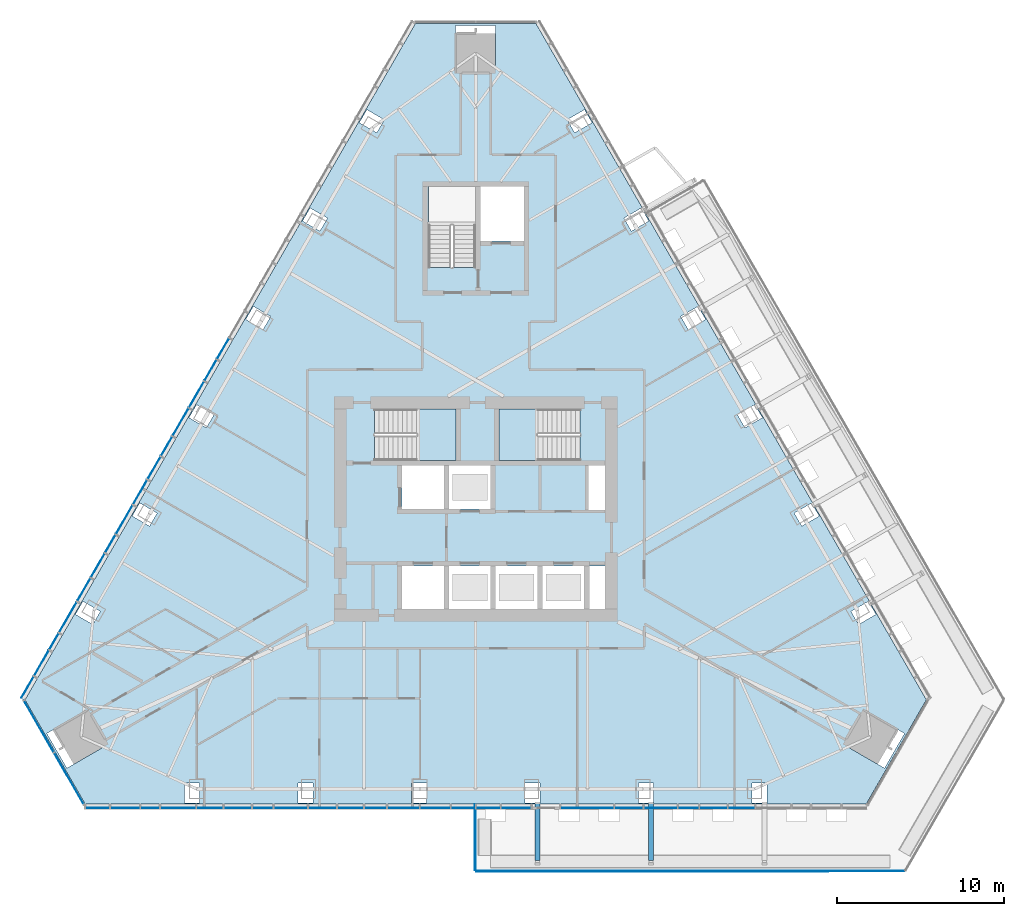
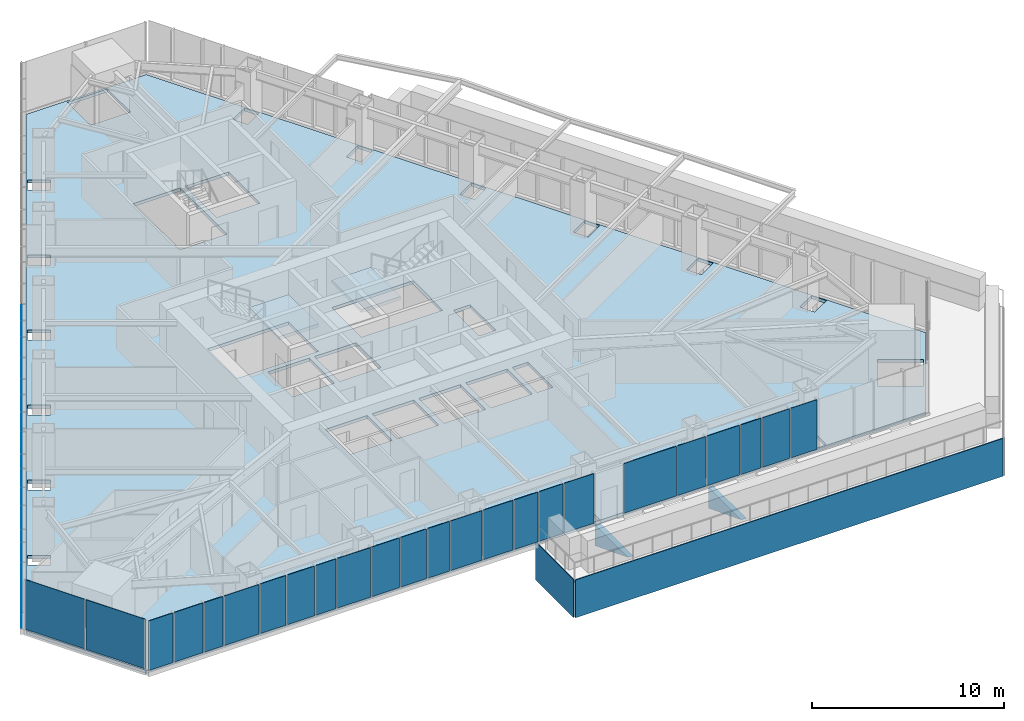
# One storey, part 7 of 17: 43 plates, 3 slabs, 5 elements without a shape of their own.
"""IFC4 building model written with IfcOpenShell, lengths in metres."""

from ifc_helpers import new_model, si_unit, direction, frame, origin, place, context, subcontext, project, spatial, polyline, outline, extrude, material, layer, layer_set, type_object, element, aggregate, save


model = new_model("IFC4")

# Units and contexts
model_context = context("Model", 3, precision=1e-05, world=origin(), true_north=direction((0.0, 1.0)))
body_context = subcontext(model_context, "Body", "Model", "MODEL_VIEW")
ifc_project = project(units=[si_unit("LENGTHUNIT", "METRE"), si_unit("AREAUNIT", "SQUARE_METRE"), si_unit("VOLUMEUNIT", "CUBIC_METRE"), si_unit("PLANEANGLEUNIT", "RADIAN"), si_unit("MASSUNIT", "GRAM", prefix="KILO")], contexts=[model_context])

# Site, building, storey
site_placement = place(None, origin())
site = spatial("IfcSite", under=ifc_project, at=site_placement, CompositionType="ELEMENT")
building_placement = place(site_placement, origin())
building = spatial("IfcBuilding", under=site, at=building_placement, Name="Firuza Gate Tower and Library", CompositionType="ELEMENT")
storey_placement = place(building_placement, frame((0.0, 0.0, 263.60009765625)))
storey = spatial("IfcBuildingStorey", under=building, at=storey_placement, Name="L62", CompositionType="ELEMENT", Elevation=263.60009765625)

# Slab
ifc_material_1 = material(Name="Concrete C40/50", Category="concrete")
ifc_layer_1 = layer(ifc_material_1, 0.199951171875)
ifc_layer_set_1 = layer_set([ifc_layer_1], Name="Composite floor slab 200 C40/50")
slab_type_1 = type_object("IfcSlabType", Name="Composite floor slab 200 C40/50", PredefinedType="FLOOR", material=ifc_layer_set_1)
slab_1_placement = place(storey_placement, frame((0.0, 0.0, -0.2001953125)))
element("IfcSlab", 1, at=slab_1_placement, inside=storey, type_object=slab_type_1, Name="Floor slab L62", PredefinedType="FLOOR", context=body_context, shape_type="SweptSolid", body=[
    extrude(outline(polyline([(48.0107421875, 63.57470703125), (51.610595703125, 57.33935546875), (98.389404296875, 57.33935546875), (101.9892578125, 63.57470703125), (78.60009765625, 104.086181640625), (71.39990234375, 104.086181640625), (48.0107421875, 63.57470703125)]), holes=[polyline([(57.550048828125, 57.402099609375), (57.550048828125, 58.60205078125), (58.449951171875, 58.60205078125), (58.449951171875, 57.402099609375), (57.550048828125, 57.402099609375)]), polyline([(64.35009765625, 57.402099609375), (64.35009765625, 58.60205078125), (65.25, 58.60205078125), (65.25, 57.402099609375), (64.35009765625, 57.402099609375)]), polyline([(71.14990234375, 57.402099609375), (71.14990234375, 58.60205078125), (72.050048828125, 58.60205078125), (72.050048828125, 57.402099609375), (71.14990234375, 57.402099609375)]), polyline([(49.319580078125, 61.55908203125), (51.398193359375, 62.759033203125), (52.59814453125, 60.6806640625), (50.51953125, 59.480712890625), (49.319580078125, 61.55908203125)]), polyline([(51.48486328125, 69.46630859375), (52.52392578125, 68.8662109375), (52.073974609375, 68.086669921875), (51.034912109375, 68.686767578125), (51.48486328125, 69.46630859375)]), polyline([(73.10009765625, 69.0), (70.60009765625, 69.0), (70.60009765625, 71.60009765625), (73.10009765625, 71.60009765625), (73.10009765625, 69.0)]), polyline([(75.89990234375, 69.0), (73.39990234375, 69.0), (73.39990234375, 71.60009765625), (75.89990234375, 71.60009765625), (75.89990234375, 69.0)]), polyline([(54.884765625, 75.355224609375), (55.924072265625, 74.755126953125), (55.47412109375, 73.975830078125), (54.434814453125, 74.57568359375), (54.884765625, 75.355224609375)]), polyline([(73.10009765625, 75.0), (70.60009765625, 75.0), (70.60009765625, 77.60009765625), (73.10009765625, 77.60009765625), (73.10009765625, 75.0)]), polyline([(75.89990234375, 75.0), (73.39990234375, 75.0), (73.39990234375, 77.60009765625), (75.89990234375, 77.60009765625), (75.89990234375, 75.0)]), polyline([(68.9404296875, 77.89990234375), (68.9404296875, 80.97998046875), (73.81005859375, 80.97998046875), (73.81005859375, 77.89990234375), (68.9404296875, 77.89990234375)]), polyline([(58.284912109375, 81.244140625), (59.323974609375, 80.64404296875), (58.8740234375, 79.86474609375), (57.834716796875, 80.46484375), (58.284912109375, 81.244140625)]), polyline([(61.684814453125, 87.133056640625), (62.72412109375, 86.533203125), (62.27392578125, 85.753662109375), (61.23486328125, 86.353759765625), (61.684814453125, 87.133056640625)]), polyline([(72.159912109375, 89.470458984375), (72.159912109375, 94.300048828125), (75.0, 94.300048828125), (75.0, 89.470458984375), (72.159912109375, 89.470458984375)]), polyline([(65.084716796875, 93.022216796875), (66.1240234375, 92.422119140625), (65.674072265625, 91.642578125), (64.634765625, 92.24267578125), (65.084716796875, 93.022216796875)]), polyline([(68.48486328125, 98.9111328125), (69.52392578125, 98.31103515625), (69.073974609375, 97.53173828125), (68.034912109375, 98.131591796875), (68.48486328125, 98.9111328125)]), polyline([(76.199951171875, 103.96044921875), (76.199951171875, 101.560302734375), (73.800048828125, 101.560302734375), (73.800048828125, 103.96044921875), (76.199951171875, 103.96044921875)]), polyline([(77.949951171875, 57.402099609375), (77.949951171875, 58.60205078125), (78.85009765625, 58.60205078125), (78.85009765625, 57.402099609375), (77.949951171875, 57.402099609375)]), polyline([(84.75, 57.402099609375), (84.75, 58.60205078125), (85.64990234375, 58.60205078125), (85.64990234375, 57.402099609375), (84.75, 57.402099609375)]), polyline([(91.550048828125, 57.402099609375), (91.550048828125, 58.60205078125), (92.449951171875, 58.60205078125), (92.449951171875, 57.402099609375), (91.550048828125, 57.402099609375)]), polyline([(99.48046875, 59.480712890625), (97.40185546875, 60.6806640625), (98.601806640625, 62.759033203125), (100.680419921875, 61.55908203125), (99.48046875, 59.480712890625)]), polyline([(98.965087890625, 68.686767578125), (97.926025390625, 68.086669921875), (97.47607421875, 68.8662109375), (98.51513671875, 69.46630859375), (98.965087890625, 68.686767578125)]), polyline([(78.699951171875, 69.0), (76.199951171875, 69.0), (76.199951171875, 71.60009765625), (78.699951171875, 71.60009765625), (78.699951171875, 69.0)]), polyline([(81.5, 69.0), (79.0, 69.0), (79.0, 71.60009765625), (81.5, 71.60009765625), (81.5, 69.0)]), polyline([(82.75, 69.0), (81.800048828125, 69.0), (81.800048828125, 71.60009765625), (82.75, 71.60009765625), (82.75, 69.0)]), polyline([(95.565185546875, 74.57568359375), (94.52587890625, 73.975830078125), (94.075927734375, 74.755126953125), (95.115234375, 75.355224609375), (95.565185546875, 74.57568359375)]), polyline([(82.75, 74.949951171875), (81.75, 74.949951171875), (81.75, 77.60009765625), (82.75, 77.60009765625), (82.75, 74.949951171875)]), polyline([(81.259521484375, 80.97998046875), (81.259521484375, 77.89990234375), (76.389892578125, 77.89990234375), (76.389892578125, 80.97998046875), (81.259521484375, 80.97998046875)]), polyline([(92.165283203125, 80.46484375), (91.1259765625, 79.86474609375), (90.676025390625, 80.64404296875), (91.715087890625, 81.244140625), (92.165283203125, 80.46484375)]), polyline([(88.76513671875, 86.353759765625), (87.72607421875, 85.753662109375), (87.27587890625, 86.533203125), (88.315185546875, 87.133056640625), (88.76513671875, 86.353759765625)]), polyline([(85.365234375, 92.24267578125), (84.325927734375, 91.642578125), (83.8759765625, 92.422119140625), (84.915283203125, 93.022216796875), (85.365234375, 92.24267578125)]), polyline([(75.300048828125, 91.050048828125), (75.300048828125, 94.300048828125), (77.89990234375, 94.300048828125), (77.89990234375, 91.050048828125), (75.300048828125, 91.050048828125)]), polyline([(80.926025390625, 97.53173828125), (80.47607421875, 98.31103515625), (81.51513671875, 98.9111328125), (81.965087890625, 98.131591796875), (80.926025390625, 97.53173828125)])]), origin(), (0.0, 0.0, 1.0), 0.2001953125),
])

# Curtain wall, plates
ifc_material_2 = material(Name="Aluminium 6063-T6", Category="aluminium")
ifc_layer_2 = layer(ifc_material_2, 0.14990234375)
ifc_layer_set_2 = layer_set([ifc_layer_2], Name="Corner curtain wall, chamfers")
curtain_wall_type_1 = type_object("IfcCurtainWallType", Name="Corner curtain wall, chamfers", PredefinedType="NOTDEFINED", material=ifc_layer_set_2)
placement_1 = place(storey_placement, origin())
curtain_wall_1 = element("IfcCurtainWall", 2, at=placement_1, inside=storey, type_object=curtain_wall_type_1, Name="CW4 L62 SW corner", PredefinedType="NOTDEFINED")
ifc_material_3 = material(Name="Fritted glass", Category="glass")
ifc_layer_3 = layer(ifc_material_3, 0.030029296875)
ifc_layer_set_3 = layer_set([ifc_layer_3], Name="Fritted glass unit, corners")
plate_type_1 = type_object("IfcPlateType", Name="Fritted glass unit, corners", PredefinedType="CURTAIN_PANEL", material=ifc_layer_set_3)
plate_1_placement = place(storey_placement, frame((47.93115234375, 63.532470703125, 0.14990234375), z_axis=(-0.866046390552, -0.49996364809, 0.0), x_axis=(0.49996364809, -0.866046390552, 0.0)))
plate_1 = element("IfcPlate", 3, at=plate_1_placement, type_object=plate_type_1, Name="Glass unit", PredefinedType="CURTAIN_PANEL", context=body_context, shape_type="SweptSolid", body=[
    extrude(outline(polyline([(0.0, 0.0), (3.563247342942594, 0.0), (3.563247342942594, 3.14990234375), (0.0, 3.14990234375), (0.0, 0.0)])), origin(), (0.0, 0.0, -1.0), 0.030029296875),
])
plate_2_placement = place(storey_placement, frame((49.752685546875, 60.377197265625, 0.14990234375), z_axis=(-0.866016723041, -0.500015035186, 0.0), x_axis=(0.500015035186, -0.866016723041, 0.0)))
plate_2 = element("IfcPlate", 4, at=plate_2_placement, type_object=plate_type_1, Name="Glass unit", PredefinedType="CURTAIN_PANEL", context=body_context, shape_type="SweptSolid", body=[
    extrude(outline(polyline([(0.0, 0.0), (3.5633694106530625, 0.0), (3.5633694106530625, 3.14990234375), (0.0, 3.14990234375), (0.0, 0.0)])), origin(), (0.0, 0.0, -1.0), 0.030029296875),
])
aggregate(curtain_wall_1, [plate_1, plate_2])

ifc_material_4 = material(Name="Aluminium 6063-T6", Category="aluminium")
ifc_layer_4 = layer(ifc_material_4, 0.14990234375)
ifc_layer_set_4 = layer_set([ifc_layer_4], Name="Unitised curtain wall, residences")
curtain_wall_type_2 = type_object("IfcCurtainWallType", Name="Unitised curtain wall, residences", PredefinedType="NOTDEFINED", material=ifc_layer_set_4)
curtain_wall_2 = element("IfcCurtainWall", 5, at=placement_1, inside=storey, type_object=curtain_wall_type_2, Name="CW3 L62 S face", PredefinedType="NOTDEFINED")
ifc_material_5 = material(Name="Fritted glass", Category="glass")
ifc_layer_5 = layer(ifc_material_5, 0.030029296875)
ifc_layer_set_5 = layer_set([ifc_layer_5], Name="Fritted glass unit, residences")
plate_type_2 = type_object("IfcPlateType", Name="Fritted glass unit, residences", PredefinedType="CURTAIN_PANEL", material=ifc_layer_set_5)
plate_3_placement = place(storey_placement, frame((51.607421875, 57.079345703125, 0.14990234375), z_axis=(0.0, -1.0, 0.0), x_axis=(1.0, 0.0, 0.0)))
plate_3 = element("IfcPlate", 6, at=plate_3_placement, type_object=plate_type_2, Name="Glass unit", PredefinedType="CURTAIN_PANEL", context=body_context, shape_type="SweptSolid", body=[
    extrude(outline(polyline([(0.0, 0.0), (1.454345703125, 0.0), (1.454345703125, 3.14990234375), (0.0, 3.14990234375), (0.0, 0.0)])), origin(), (0.0, 0.0, -1.0), 0.030029296875),
])
plate_4_placement = place(storey_placement, frame((56.13818359375, 57.079345703125, 0.14990234375), z_axis=(0.0, -1.0, 0.0), x_axis=(1.0, 0.0, 0.0)))
plate_4 = element("IfcPlate", 7, at=plate_4_placement, type_object=plate_type_2, Name="Glass unit", PredefinedType="CURTAIN_PANEL", context=body_context, shape_type="SweptSolid", body=[
    extrude(outline(polyline([(0.0, 0.0), (2.084228515625, 0.0), (2.084228515625, 3.14990234375), (0.0, 3.14990234375), (0.0, 0.0)])), origin(), (0.0, 0.0, -1.0), 0.030029296875),
])
plate_5_placement = place(storey_placement, frame((58.302490234375, 57.079345703125, 0.14990234375), z_axis=(0.0, -1.0, 0.0), x_axis=(1.0, 0.0, 0.0)))
plate_5 = element("IfcPlate", 8, at=plate_5_placement, type_object=plate_type_2, Name="Glass unit", PredefinedType="CURTAIN_PANEL", context=body_context, shape_type="SweptSolid", body=[
    extrude(outline(polyline([(0.0, 0.0), (1.559326171875, 0.0), (1.559326171875, 3.14990234375), (0.0, 3.14990234375), (0.0, 0.0)])), origin(), (0.0, 0.0, -1.0), 0.030029296875),
])
plate_6_placement = place(storey_placement, frame((62.938232421875, 57.079345703125, 0.14990234375), z_axis=(0.0, -1.0, 0.0), x_axis=(1.0, 0.0, 0.0)))
plate_6 = element("IfcPlate", 9, at=plate_6_placement, type_object=plate_type_2, Name="Glass unit", PredefinedType="CURTAIN_PANEL", context=body_context, shape_type="SweptSolid", body=[
    extrude(outline(polyline([(0.0, 0.0), (1.979248046875, 0.0), (1.979248046875, 3.14990234375), (0.0, 3.14990234375), (0.0, 0.0)])), origin(), (0.0, 0.0, -1.0), 0.030029296875),
])
plate_7_placement = place(storey_placement, frame((64.99755859375, 57.079345703125, 0.14990234375), z_axis=(0.0, -1.0, 0.0), x_axis=(1.0, 0.0, 0.0)))
plate_7 = element("IfcPlate", 10, at=plate_7_placement, type_object=plate_type_2, Name="Glass unit", PredefinedType="CURTAIN_PANEL", context=body_context, shape_type="SweptSolid", body=[
    extrude(outline(polyline([(0.0, 0.0), (1.664306640625, 0.0), (1.664306640625, 3.14990234375), (0.0, 3.14990234375), (0.0, 0.0)])), origin(), (0.0, 0.0, -1.0), 0.030029296875),
])
plate_8_placement = place(storey_placement, frame((69.73828125, 57.079345703125, 0.14990234375), z_axis=(0.0, -1.0, 0.0), x_axis=(1.0, 0.0, 0.0)))
plate_8 = element("IfcPlate", 11, at=plate_8_placement, type_object=plate_type_2, Name="Glass unit", PredefinedType="CURTAIN_PANEL", context=body_context, shape_type="SweptSolid", body=[
    extrude(outline(polyline([(0.0, 0.0), (1.874267578125, 0.0), (1.874267578125, 3.14990234375), (0.0, 3.14990234375), (0.0, 0.0)])), origin(), (0.0, 0.0, -1.0), 0.030029296875),
])
plate_9_placement = place(storey_placement, frame((71.6923828125, 57.079345703125, 0.14990234375), z_axis=(0.0, -1.0, 0.0), x_axis=(1.0, 0.0, 0.0)))
plate_9 = element("IfcPlate", 12, at=plate_9_placement, type_object=plate_type_2, Name="Glass unit", PredefinedType="CURTAIN_PANEL", context=body_context, shape_type="SweptSolid", body=[
    extrude(outline(polyline([(0.0, 0.0), (1.76953125, 0.0), (1.76953125, 3.14990234375), (0.0, 3.14990234375), (0.0, 0.0)])), origin(), (0.0, 0.0, -1.0), 0.030029296875),
])
plate_10_placement = place(storey_placement, frame((76.5380859375, 57.079345703125, 0.14990234375), z_axis=(0.0, -1.0, 0.0), x_axis=(1.0, 0.0, 0.0)))
plate_10 = element("IfcPlate", 13, at=plate_10_placement, type_object=plate_type_2, Name="Glass unit", PredefinedType="CURTAIN_PANEL", context=body_context, shape_type="SweptSolid", body=[
    extrude(outline(polyline([(0.0, 0.0), (1.76953125, 0.0), (1.76953125, 3.14990234375), (0.0, 3.14990234375), (0.0, 0.0)])), origin(), (0.0, 0.0, -1.0), 0.030029296875),
])
plate_11_placement = place(storey_placement, frame((83.338134765625, 57.079345703125, 0.14990234375), z_axis=(0.0, -1.0, 0.0), x_axis=(1.0, 0.0, 0.0)))
plate_11 = element("IfcPlate", 14, at=plate_11_placement, type_object=plate_type_2, Name="Glass unit", PredefinedType="CURTAIN_PANEL", context=body_context, shape_type="SweptSolid", body=[
    extrude(outline(polyline([(0.0, 0.0), (1.664306640625, 0.0), (1.664306640625, 3.14990234375), (0.0, 3.14990234375), (0.0, 0.0)])), origin(), (0.0, 0.0, -1.0), 0.030029296875),
])
plate_12_placement = place(storey_placement, frame((85.08251953125, 57.079345703125, 0.14990234375), z_axis=(0.0, -1.0, 0.0), x_axis=(1.0, 0.0, 0.0)))
plate_12 = element("IfcPlate", 15, at=plate_12_placement, type_object=plate_type_2, Name="Glass unit", PredefinedType="CURTAIN_PANEL", context=body_context, shape_type="SweptSolid", body=[
    extrude(outline(polyline([(0.0, 0.0), (1.979248046875, 0.0), (1.979248046875, 3.14990234375), (0.0, 3.14990234375), (0.0, 0.0)])), origin(), (0.0, 0.0, -1.0), 0.030029296875),
])
plate_13_placement = place(storey_placement, frame((90.13818359375, 57.079345703125, 0.14990234375), z_axis=(0.0, -1.0, 0.0), x_axis=(1.0, 0.0, 0.0)))
plate_13 = element("IfcPlate", 16, at=plate_13_placement, type_object=plate_type_2, Name="Glass unit", PredefinedType="CURTAIN_PANEL", context=body_context, shape_type="SweptSolid", body=[
    extrude(outline(polyline([(0.0, 0.0), (1.559326171875, 0.0), (1.559326171875, 3.14990234375), (0.0, 3.14990234375), (0.0, 0.0)])), origin(), (0.0, 0.0, -1.0), 0.030029296875),
])

curtain_wall_3 = element("IfcCurtainWall", 17, at=placement_1, inside=storey, type_object=curtain_wall_type_2, Name="CW3 L62 W face", PredefinedType="NOTDEFINED")
plate_14_placement = place(storey_placement, frame((58.711181640625, 82.628173828125, 0.14990234375), z_axis=(-0.865992557167, 0.500056887695, 0.0), x_axis=(-0.500056887695, -0.865992557167, 0.0)))
plate_14 = element("IfcPlate", 18, at=plate_14_placement, type_object=plate_type_2, Name="Glass unit", PredefinedType="CURTAIN_PANEL", context=body_context, shape_type="SweptSolid", body=[
    extrude(outline(polyline([(0.0, 0.0), (1.7693299437957317, 0.0), (1.7693299437957317, 3.14990234375), (0.0, 3.14990234375), (0.0, 0.0)])), origin(), (0.0, 0.0, -1.0), 0.030029296875),
])
plate_15_placement = place(storey_placement, frame((57.786376953125, 81.026611328125, 0.14990234375), z_axis=(-0.866038072327, 0.499978056798, 0.0), x_axis=(-0.499978056798, -0.866038072327, 0.0)))
plate_15 = element("IfcPlate", 19, at=plate_15_placement, type_object=plate_type_2, Name="Glass unit", PredefinedType="CURTAIN_PANEL", context=body_context, shape_type="SweptSolid", body=[
    extrude(outline(polyline([(0.0, 0.0), (1.8741056852595306, 0.0), (1.8741056852595306, 3.14990234375), (0.0, 3.14990234375), (0.0, 0.0)])), origin(), (0.0, 0.0, -1.0), 0.030029296875),
])
plate_16_placement = place(storey_placement, frame((55.31103515625, 76.7392578125, 0.14990234375), z_axis=(-0.866068339032, 0.499925626596, 0.0), x_axis=(-0.499925626596, -0.866068339032, 0.0)))
plate_16 = element("IfcPlate", 20, at=plate_16_placement, type_object=plate_type_2, Name="Glass unit", PredefinedType="CURTAIN_PANEL", context=body_context, shape_type="SweptSolid", body=[
    extrude(outline(polyline([(0.0, 0.0), (1.6643100608106725, 0.0), (1.6643100608106725, 3.14990234375), (0.0, 3.14990234375), (0.0, 0.0)])), origin(), (0.0, 0.0, -1.0), 0.030029296875),
])
plate_17_placement = place(storey_placement, frame((54.43896484375, 75.228515625, 0.14990234375), z_axis=(-0.86597192402, 0.500092618231, 0.0), x_axis=(-0.500092618231, -0.86597192402, 0.0)))
plate_17 = element("IfcPlate", 21, at=plate_17_placement, type_object=plate_type_2, Name="Glass unit", PredefinedType="CURTAIN_PANEL", context=body_context, shape_type="SweptSolid", body=[
    extrude(outline(polyline([(0.0, 0.0), (1.9791255812814263, 0.0), (1.9791255812814263, 3.14990234375), (0.0, 3.14990234375), (0.0, 0.0)])), origin(), (0.0, 0.0, -1.0), 0.030029296875),
])
plate_18_placement = place(storey_placement, frame((51.9111328125, 70.850341796875, 0.14990234375), z_axis=(-0.866018739521, 0.500011542666, 0.0), x_axis=(-0.500011542666, -0.866018739521, 0.0)))
plate_18 = element("IfcPlate", 22, at=plate_18_placement, type_object=plate_type_2, Name="Glass unit", PredefinedType="CURTAIN_PANEL", context=body_context, shape_type="SweptSolid", body=[
    extrude(outline(polyline([(0.0, 0.0), (1.5595343101325443, 0.0), (1.5595343101325443, 3.14990234375), (0.0, 3.14990234375), (0.0, 0.0)])), origin(), (0.0, 0.0, -1.0), 0.030029296875),
])
plate_19_placement = place(storey_placement, frame((51.09130859375, 69.4306640625, 0.14990234375), z_axis=(-0.866072462134, 0.499918483688, 0.0), x_axis=(-0.499918483688, -0.866072462134, 0.0)))
plate_19 = element("IfcPlate", 23, at=plate_19_placement, type_object=plate_type_2, Name="Glass unit", PredefinedType="CURTAIN_PANEL", context=body_context, shape_type="SweptSolid", body=[
    extrude(outline(polyline([(0.0, 0.0), (2.084324187841849, 0.0), (2.084324187841849, 3.14990234375), (0.0, 3.14990234375), (0.0, 0.0)])), origin(), (0.0, 0.0, -1.0), 0.030029296875),
])
plate_20_placement = place(storey_placement, frame((48.510986328125, 64.96142578125, 0.14990234375), z_axis=(-0.866107332248, 0.499858068882, 0.0), x_axis=(-0.499858068882, -0.866107332248, 0.0)))
plate_20 = element("IfcPlate", 24, at=plate_20_placement, type_object=plate_type_2, Name="Glass unit", PredefinedType="CURTAIN_PANEL", context=body_context, shape_type="SweptSolid", body=[
    extrude(outline(polyline([(0.0, 0.0), (1.4545144442211209, 0.0), (1.4545144442211209, 3.14990234375), (0.0, 3.14990234375), (0.0, 0.0)])), origin(), (0.0, 0.0, -1.0), 0.030029296875),
])

# Plate
ifc_material_6 = material(Name="Glazed ceramic tile")
ifc_layer_6 = layer(ifc_material_6, 0.030029296875)
ifc_layer_set_6 = layer_set([ifc_layer_6], Name="Opaque ceramic panel, residences")
plate_type_3 = type_object("IfcPlateType", Name="Opaque ceramic panel, residences", PredefinedType="CURTAIN_PANEL", material=ifc_layer_set_6)
plate_21_placement = place(storey_placement, frame((53.141845703125, 57.079345703125, 0.14990234375), z_axis=(0.0, -1.0, 0.0), x_axis=(1.0, 0.0, 0.0)))
plate_21 = element("IfcPlate", 25, at=plate_21_placement, type_object=plate_type_3, Name="Opaque ceramic panel", PredefinedType="CURTAIN_PANEL", context=body_context, shape_type="SweptSolid", body=[
    extrude(outline(polyline([(0.0, 0.0), (1.733154296875, 0.0), (1.733154296875, 3.14990234375), (0.0, 3.14990234375), (0.0, 0.0)])), origin(), (0.0, 0.0, -1.0), 0.030029296875),
])

plate_22_placement = place(storey_placement, frame((54.954833984375, 57.079345703125, 0.14990234375), z_axis=(0.0, -1.0, 0.0), x_axis=(1.0, 0.0, 0.0)))
plate_22 = element("IfcPlate", 26, at=plate_22_placement, type_object=plate_type_3, Name="Opaque ceramic panel", PredefinedType="CURTAIN_PANEL", context=body_context, shape_type="SweptSolid", body=[
    extrude(outline(polyline([(0.0, 0.0), (1.103271484375, 0.0), (1.103271484375, 3.14990234375), (0.0, 3.14990234375), (0.0, 0.0)])), origin(), (0.0, 0.0, -1.0), 0.030029296875),
])

plate_23_placement = place(storey_placement, frame((59.94189453125, 57.079345703125, 0.14990234375), z_axis=(0.0, -1.0, 0.0), x_axis=(1.0, 0.0, 0.0)))
plate_23 = element("IfcPlate", 27, at=plate_23_placement, type_object=plate_type_3, Name="Opaque ceramic panel", PredefinedType="CURTAIN_PANEL", context=body_context, shape_type="SweptSolid", body=[
    extrude(outline(polyline([(0.0, 0.0), (1.6279296875, 0.0), (1.6279296875, 3.14990234375), (0.0, 3.14990234375), (0.0, 0.0)])), origin(), (0.0, 0.0, -1.0), 0.030029296875),
])

plate_24_placement = place(storey_placement, frame((61.64990234375, 57.079345703125, 0.14990234375), z_axis=(0.0, -1.0, 0.0), x_axis=(1.0, 0.0, 0.0)))
plate_24 = element("IfcPlate", 28, at=plate_24_placement, type_object=plate_type_3, Name="Opaque ceramic panel", PredefinedType="CURTAIN_PANEL", context=body_context, shape_type="SweptSolid", body=[
    extrude(outline(polyline([(0.0, 0.0), (1.208251953125, 0.0), (1.208251953125, 3.14990234375), (0.0, 3.14990234375), (0.0, 0.0)])), origin(), (0.0, 0.0, -1.0), 0.030029296875),
])

plate_25_placement = place(storey_placement, frame((66.741943359375, 57.079345703125, 0.14990234375), z_axis=(0.0, -1.0, 0.0), x_axis=(1.0, 0.0, 0.0)))
plate_25 = element("IfcPlate", 29, at=plate_25_placement, type_object=plate_type_3, Name="Opaque ceramic panel", PredefinedType="CURTAIN_PANEL", context=body_context, shape_type="SweptSolid", body=[
    extrude(outline(polyline([(0.0, 0.0), (1.52294921875, 0.0), (1.52294921875, 3.14990234375), (0.0, 3.14990234375), (0.0, 0.0)])), origin(), (0.0, 0.0, -1.0), 0.030029296875),
])

plate_26_placement = place(storey_placement, frame((68.344970703125, 57.079345703125, 0.14990234375), z_axis=(0.0, -1.0, 0.0), x_axis=(1.0, 0.0, 0.0)))
plate_26 = element("IfcPlate", 30, at=plate_26_placement, type_object=plate_type_3, Name="Opaque ceramic panel", PredefinedType="CURTAIN_PANEL", context=body_context, shape_type="SweptSolid", body=[
    extrude(outline(polyline([(0.0, 0.0), (1.313232421875, 0.0), (1.313232421875, 3.14990234375), (0.0, 3.14990234375), (0.0, 0.0)])), origin(), (0.0, 0.0, -1.0), 0.030029296875),
])

plate_27_placement = place(storey_placement, frame((73.541748046875, 57.079345703125, 0.14990234375), z_axis=(0.0, -1.0, 0.0), x_axis=(1.0, 0.0, 0.0)))
plate_27 = element("IfcPlate", 31, at=plate_27_placement, type_object=plate_type_3, Name="Opaque ceramic panel", PredefinedType="CURTAIN_PANEL", context=body_context, shape_type="SweptSolid", body=[
    extrude(outline(polyline([(0.0, 0.0), (1.418212890625, 0.0), (1.418212890625, 3.14990234375), (0.0, 3.14990234375), (0.0, 0.0)])), origin(), (0.0, 0.0, -1.0), 0.030029296875),
])

plate_28_placement = place(storey_placement, frame((75.0400390625, 57.079345703125, 0.14990234375), z_axis=(0.0, -1.0, 0.0), x_axis=(1.0, 0.0, 0.0)))
plate_28 = element("IfcPlate", 32, at=plate_28_placement, type_object=plate_type_3, Name="Opaque ceramic panel", PredefinedType="CURTAIN_PANEL", context=body_context, shape_type="SweptSolid", body=[
    extrude(outline(polyline([(0.0, 0.0), (1.418212890625, 0.0), (1.418212890625, 3.14990234375), (0.0, 3.14990234375), (0.0, 0.0)])), origin(), (0.0, 0.0, -1.0), 0.030029296875),
])

plate_29_placement = place(storey_placement, frame((80.107421875, 57.079345703125, 0.14990234375), z_axis=(0.0, -1.0, 0.0), x_axis=(1.0, 0.0, 0.0)))
plate_29 = element("IfcPlate", 33, at=plate_29_placement, type_object=plate_type_3, Name="Opaque ceramic panel", PredefinedType="CURTAIN_PANEL", context=body_context, shape_type="SweptSolid", body=[
    extrude(outline(polyline([(0.0, 0.0), (3.150634765625, 0.0), (3.150634765625, 3.14990234375), (0.0, 3.14990234375), (0.0, 0.0)])), origin(), (0.0, 0.0, -1.0), 0.030029296875),
])

plate_30_placement = place(storey_placement, frame((87.141845703125, 57.079345703125, 0.14990234375), z_axis=(0.0, -1.0, 0.0), x_axis=(1.0, 0.0, 0.0)))
plate_30 = element("IfcPlate", 34, at=plate_30_placement, type_object=plate_type_3, Name="Opaque ceramic panel", PredefinedType="CURTAIN_PANEL", context=body_context, shape_type="SweptSolid", body=[
    extrude(outline(polyline([(0.0, 0.0), (1.208251953125, 0.0), (1.208251953125, 3.14990234375), (0.0, 3.14990234375), (0.0, 0.0)])), origin(), (0.0, 0.0, -1.0), 0.030029296875),
])

plate_31_placement = place(storey_placement, frame((88.43017578125, 57.079345703125, 0.14990234375), z_axis=(0.0, -1.0, 0.0), x_axis=(1.0, 0.0, 0.0)))
plate_31 = element("IfcPlate", 35, at=plate_31_placement, type_object=plate_type_3, Name="Opaque ceramic panel", PredefinedType="CURTAIN_PANEL", context=body_context, shape_type="SweptSolid", body=[
    extrude(outline(polyline([(0.0, 0.0), (1.6279296875, 0.0), (1.6279296875, 3.14990234375), (0.0, 3.14990234375), (0.0, 0.0)])), origin(), (0.0, 0.0, -1.0), 0.030029296875),
])

aggregate(curtain_wall_2, [plate_3, plate_21, plate_22, plate_4, plate_5, plate_23, plate_24, plate_6, plate_7, plate_25, plate_26, plate_8, plate_9, plate_27, plate_28, plate_10, plate_29, plate_11, plate_12, plate_30, plate_31, plate_13])

plate_32_placement = place(storey_placement, frame((60.209228515625, 85.22314453125, 0.14990234375), z_axis=(-0.866030760678, 0.499990721473, 0.0), x_axis=(-0.499990721473, -0.866030760678, 0.0)))
plate_32 = element("IfcPlate", 36, at=plate_32_placement, type_object=plate_type_3, Name="Opaque ceramic panel", PredefinedType="CURTAIN_PANEL", context=body_context, shape_type="SweptSolid", body=[
    extrude(outline(polyline([(0.0, 0.0), (1.4179950638108094, 0.0), (1.4179950638108094, 3.14990234375), (0.0, 3.14990234375), (0.0, 0.0)])), origin(), (0.0, 0.0, -1.0), 0.030029296875),
])

plate_33_placement = place(storey_placement, frame((59.460205078125, 83.92578125, 0.14990234375), z_axis=(-0.865999255827, 0.500045286857, 0.0), x_axis=(-0.500045286857, -0.865999255827, 0.0)))
plate_33 = element("IfcPlate", 37, at=plate_33_placement, type_object=plate_type_3, Name="Opaque ceramic panel", PredefinedType="CURTAIN_PANEL", context=body_context, shape_type="SweptSolid", body=[
    extrude(outline(polyline([(0.0, 0.0), (1.4183285679645625, 0.0), (1.4183285679645625, 3.14990234375), (0.0, 3.14990234375), (0.0, 0.0)])), origin(), (0.0, 0.0, -1.0), 0.030029296875),
])

plate_34_placement = place(storey_placement, frame((56.809326171875, 79.334228515625, 0.14990234375), z_axis=(-0.865968850352, 0.500097940628, 0.0), x_axis=(-0.500097940628, -0.865968850352, 0.0)))
plate_34 = element("IfcPlate", 38, at=plate_34_placement, type_object=plate_type_3, Name="Opaque ceramic panel", PredefinedType="CURTAIN_PANEL", context=body_context, shape_type="SweptSolid", body=[
    extrude(outline(polyline([(0.0, 0.0), (1.3132193274482533, 0.0), (1.3132193274482533, 3.14990234375), (0.0, 3.14990234375), (0.0, 0.0)])), origin(), (0.0, 0.0, -1.0), 0.030029296875),
])

plate_35_placement = place(storey_placement, frame((56.112548828125, 78.127685546875, 0.14990234375), z_axis=(-0.866054796986, 0.499949086026, 0.0), x_axis=(-0.499949086026, -0.866054796986, 0.0)))
plate_35 = element("IfcPlate", 39, at=plate_35_placement, type_object=plate_type_3, Name="Opaque ceramic panel", PredefinedType="CURTAIN_PANEL", context=body_context, shape_type="SweptSolid", body=[
    extrude(outline(polyline([(0.0, 0.0), (1.5231043133369837, 0.0), (1.5231043133369837, 3.14990234375), (0.0, 3.14990234375), (0.0, 0.0)])), origin(), (0.0, 0.0, -1.0), 0.030029296875),
])

plate_36_placement = place(storey_placement, frame((53.4091796875, 73.4453125, 0.14990234375), z_axis=(-0.866071184225, 0.499920697567, 0.0), x_axis=(-0.499920697567, -0.866071184225, 0.0)))
plate_36 = element("IfcPlate", 40, at=plate_36_placement, type_object=plate_type_3, Name="Opaque ceramic panel", PredefinedType="CURTAIN_PANEL", context=body_context, shape_type="SweptSolid", body=[
    extrude(outline(polyline([(0.0, 0.0), (1.2081994388103525, 0.0), (1.2081994388103525, 3.14990234375), (0.0, 3.14990234375), (0.0, 0.0)])), origin(), (0.0, 0.0, -1.0), 0.030029296875),
])

plate_37_placement = place(storey_placement, frame((52.76513671875, 72.32958984375, 0.14990234375), z_axis=(-0.866038248142, 0.499977752261, 0.0), x_axis=(-0.499977752261, -0.866038248142, 0.0)))
plate_37 = element("IfcPlate", 41, at=plate_37_placement, type_object=plate_type_3, Name="Opaque ceramic panel", PredefinedType="CURTAIN_PANEL", context=body_context, shape_type="SweptSolid", body=[
    extrude(outline(polyline([(0.0, 0.0), (1.6280021262342457, 0.0), (1.6280021262342457, 3.14990234375), (0.0, 3.14990234375), (0.0, 0.0)])), origin(), (0.0, 0.0, -1.0), 0.030029296875),
])

plate_38_placement = place(storey_placement, frame((50.00927734375, 67.556396484375, 0.14990234375), z_axis=(-0.866001350717, 0.50004165882, 0.0), x_axis=(-0.50004165882, -0.866001350717, 0.0)))
plate_38 = element("IfcPlate", 42, at=plate_38_placement, type_object=plate_type_3, Name="Opaque ceramic panel", PredefinedType="CURTAIN_PANEL", context=body_context, shape_type="SweptSolid", body=[
    extrude(outline(polyline([(0.0, 0.0), (1.1034236903421664, 0.0), (1.1034236903421664, 3.14990234375), (0.0, 3.14990234375), (0.0, 0.0)])), origin(), (0.0, 0.0, -1.0), 0.030029296875),
])

plate_39_placement = place(storey_placement, frame((49.417724609375, 66.531494140625, 0.14990234375), z_axis=(-0.865962694384, 0.500108600141, 0.0), x_axis=(-0.500108600141, -0.865962694384, 0.0)))
plate_39 = element("IfcPlate", 43, at=plate_39_placement, type_object=plate_type_3, Name="Opaque ceramic panel", PredefinedType="CURTAIN_PANEL", context=body_context, shape_type="SweptSolid", body=[
    extrude(outline(polyline([(0.0, 0.0), (1.7330220246288457, 0.0), (1.7330220246288457, 3.14990234375), (0.0, 3.14990234375), (0.0, 0.0)])), origin(), (0.0, 0.0, -1.0), 0.030029296875),
])

aggregate(curtain_wall_3, [plate_32, plate_33, plate_14, plate_15, plate_34, plate_35, plate_16, plate_17, plate_36, plate_37, plate_18, plate_19, plate_38, plate_39, plate_20])

# Stair, slab
ifc_material_7 = material(Name="Concrete C35/45", Category="concrete")
stair_type = type_object("IfcStairType", Name="Exit stair ST8", PredefinedType="HALF_TURN_STAIR", material=ifc_material_7)
stair_1 = element("IfcStair", 44, at=placement_1, inside=storey, type_object=stair_type, Name="L62 Stair ST1", PredefinedType="HALF_TURN_STAIR")
ifc_material_8 = material(Name="Concrete C35/45", Category="concrete")
ifc_layer_7 = layer(ifc_material_8, 0.199951171875)
ifc_layer_set_7 = layer_set([ifc_layer_7], Name="Stair landing 200")
slab_type_2 = type_object("IfcSlabType", Name="Stair landing 200", PredefinedType="LANDING", material=ifc_layer_set_7)
placement_2 = place(storey_placement, frame((0.0, 0.0, 1.5498046875)))
slab_2 = element("IfcSlab", 45, at=placement_2, type_object=slab_type_2, Name="ST1 landing 1", PredefinedType="LANDING", context=body_context, shape_type="SweptSolid", body=[
    extrude(outline(polyline([(71.4599609375, 77.89990234375), (73.81005859375, 77.89990234375), (73.81005859375, 80.97998046875), (71.4599609375, 80.97998046875), (71.4599609375, 77.89990234375)])), origin(), (0.0, 0.0, 1.0), 0.2001953125),
])
aggregate(stair_1, [slab_2])

stair_2 = element("IfcStair", 46, at=placement_1, inside=storey, type_object=stair_type, Name="L62 Stair ST2", PredefinedType="HALF_TURN_STAIR")
slab_3 = element("IfcSlab", 47, at=placement_2, type_object=slab_type_2, Name="ST2 landing 1", PredefinedType="LANDING", context=body_context, shape_type="SweptSolid", body=[
    extrude(outline(polyline([(78.739990234375, 80.97998046875), (76.389892578125, 80.97998046875), (76.389892578125, 77.89990234375), (78.739990234375, 77.89990234375), (78.739990234375, 80.97998046875)])), origin(), (0.0, 0.0, 1.0), 0.2001953125),
])
aggregate(stair_2, [slab_3])

# Plates
ifc_material_9 = material(Name="Steel S355", Category="steel")
ifc_layer_8 = layer(ifc_material_9, 0.300048828125)
ifc_layer_set_8 = layer_set([ifc_layer_8], Name="Tray bracket web 300 Steel S355")
plate_type_4 = type_object("IfcPlateType", Name="Tray bracket web 300 Steel S355", PredefinedType="SHEET", material=ifc_layer_set_8)
for number, where, z_axis, x_axis, name in (
    (48, (78.85009765625, 57.366943359375, -0.2001953125), (1.0, 0.0, 0.0), (0.0, -1.0, 0.0), "Tray bracket web L62 col:L61:S4"),
    (49, (85.64990234375, 57.366943359375, -0.2001953125), (1.0, 0.0, 0.0), (0.0, -1.0, 0.0), "Tray bracket web L62 col:L61:S5"),
):
    element("IfcPlate", number, at=place(storey_placement, frame(where, z_axis=z_axis, x_axis=x_axis)), inside=storey, type_object=plate_type_4, Name=name, PredefinedType="SHEET", context=body_context, shape_type="SweptSolid", body=[
        extrude(outline(polyline([(0.0, 0.0), (3.428955078125, 0.0), (0.0, 1.333984375), (0.0, 0.0)])), origin(), (0.0, 0.0, -1.0), 0.300048828125),
    ])
ifc_material_10 = material(Name="Aluminium 6063-T6", Category="aluminium")
ifc_layer_9 = layer(ifc_material_10, 0.050048828125)
ifc_layer_set_9 = layer_set([ifc_layer_9], Name="Tray fascia panel 50")
plate_type_5 = type_object("IfcPlateType", Name="Tray fascia panel 50", PredefinedType="SHEET", material=ifc_layer_set_9)
plate_40_placement = place(storey_placement, frame((75.030029296875, 53.2890625, -2.400146484375), z_axis=(0.0, -1.0, 0.0), x_axis=(1.0, 0.0, 0.0)))
element("IfcPlate", 50, at=plate_40_placement, inside=storey, type_object=plate_type_5, Name="Tray fascia L62 1", PredefinedType="SHEET", context=body_context, shape_type="SweptSolid", body=[
    extrude(outline(polyline([(0.0, 0.0), (25.638916015625, 0.0), (25.638916015625, 2.400146484375), (0.0, 2.400146484375), (0.0, 0.0)])), origin(), (0.0, 0.0, -1.0), 0.050048828125),
])
plate_41_placement = place(storey_placement, frame((74.949951171875, 57.30908203125, -2.400146484375), z_axis=(-1.0, 0.0, 0.0), x_axis=(0.0, -1.0, 0.0)))
element("IfcPlate", 51, at=plate_41_placement, inside=storey, type_object=plate_type_5, Name="Tray fascia L62 8", PredefinedType="SHEET", context=body_context, shape_type="SweptSolid", body=[
    extrude(outline(polyline([(0.0, 0.0), (3.940185546875, 0.0), (3.940185546875, 2.400146484375), (0.0, 2.400146484375), (0.0, 0.0)])), origin(), (0.0, 0.0, -1.0), 0.050048828125),
])

save(model, "model.ifc")
